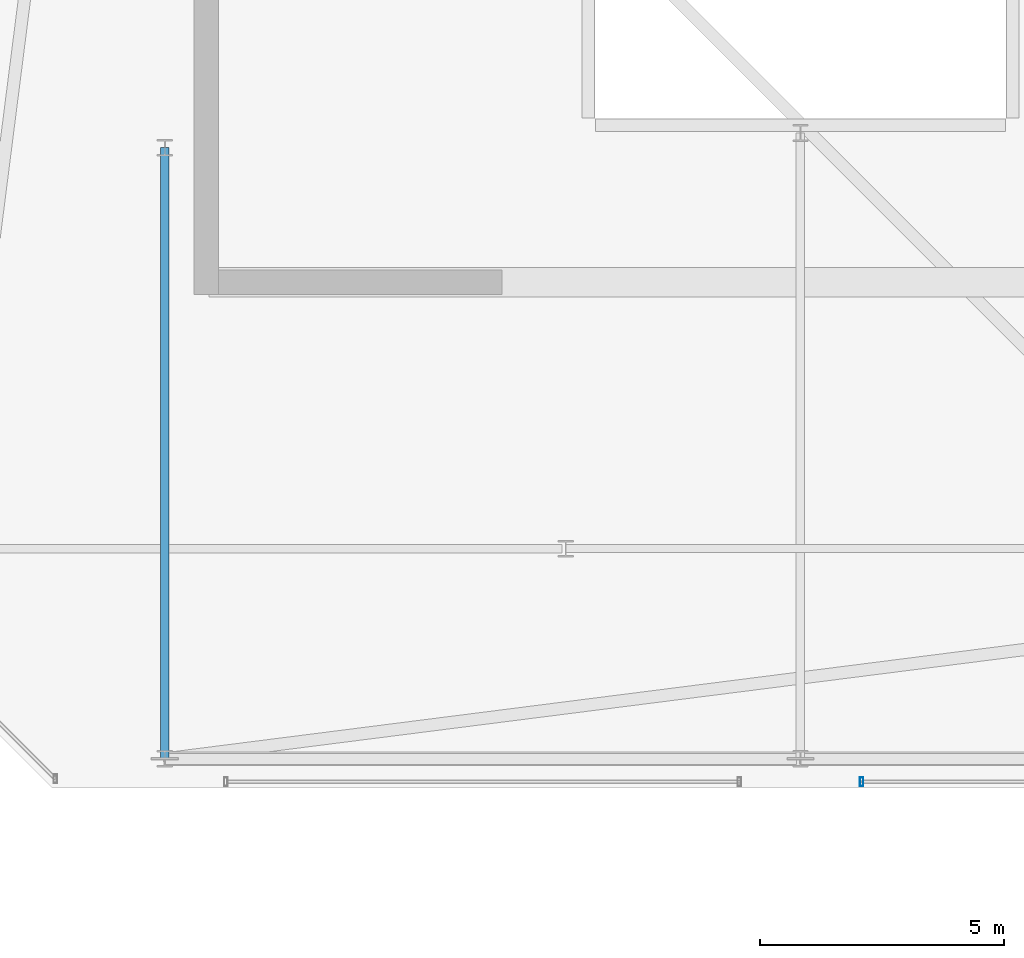
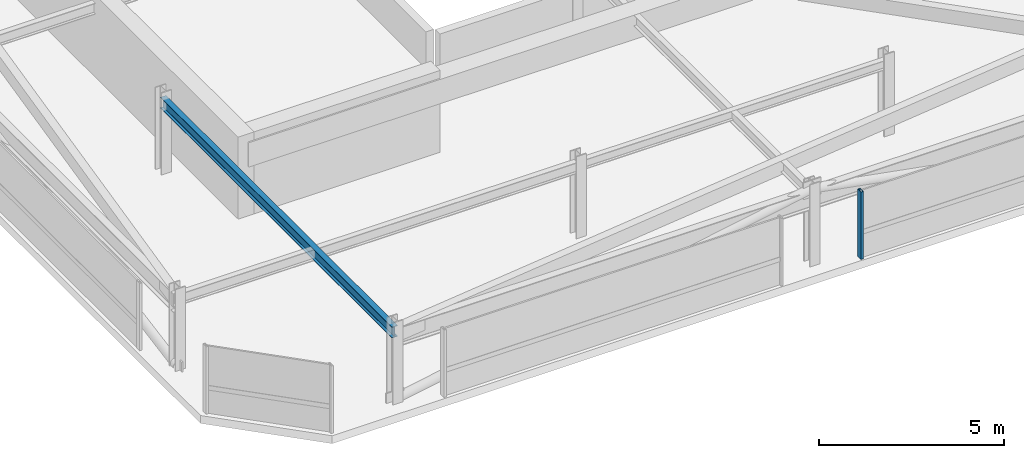
# One storey, part 28 of 42: 1 beam, 1 member, 1 element without a shape of its own.
"""IFC4 building model written with IfcOpenShell, lengths in metres."""

from ifc_helpers import new_model, si_unit, direction, frame, origin, origin_2d, place, context, subcontext, project, spatial, hollow_rectangle, i_section, extrude, material, material_profile, profile_set, type_object, element, aggregate, save


model = new_model("IFC4")

# Units and contexts
model_context = context("Model", 3, precision=1e-05, world=origin(), true_north=direction((0.0, 1.0)))
body_context = subcontext(model_context, "Body", "Model", "MODEL_VIEW")
ifc_project = project(units=[si_unit("LENGTHUNIT", "METRE"), si_unit("AREAUNIT", "SQUARE_METRE"), si_unit("VOLUMEUNIT", "CUBIC_METRE"), si_unit("PLANEANGLEUNIT", "RADIAN"), si_unit("MASSUNIT", "GRAM", prefix="KILO")], contexts=[model_context])

# Site, building, storey
site_placement = place(None, origin())
site = spatial("IfcSite", under=ifc_project, at=site_placement, CompositionType="ELEMENT")
building_placement = place(site_placement, origin())
building = spatial("IfcBuilding", under=site, at=building_placement, Name="Thornwick Lancets Civic Towers", CompositionType="ELEMENT")
storey_placement = place(building_placement, frame((0.0, 0.0, 289.5)))
storey = spatial("IfcBuildingStorey", under=building, at=storey_placement, Name="C04", CompositionType="ELEMENT", Elevation=289.5)

# Beam
ifc_material_1 = material(Name="Steel S355JR", Category="steel")
ifc_material_profile_1 = material_profile(ifc_material_1, i_section(OverallWidth=0.173095703125, OverallDepth=0.36328125, WebThickness=0.009033203125, FlangeThickness=0.015625, FilletRadius=0.01025390625, at=origin_2d()), Name="UKB 356x171x67")
ifc_profile_set_1 = profile_set([ifc_material_profile_1], Name="Steel S355JR")
beam_type = type_object("IfcBeamType", Name="BM_JOIST_356_67", PredefinedType="JOIST", material=ifc_profile_set_1)
beam_placement = place(storey_placement, frame((75.5, 22.199951171875, 2.25830078125), z_axis=(0.0, -1.0, 0.0), x_axis=(1.0, 0.0, 0.0)))
element("IfcBeam", 1, at=beam_placement, inside=storey, type_object=beam_type, Name="BM-RADIN-C04-B12", PredefinedType="JOIST", context=body_context, shape_type="SweptSolid", body=[
    extrude(i_section(OverallWidth=0.173095703125, OverallDepth=0.36328125, WebThickness=0.009033203125, FlangeThickness=0.015625, FilletRadius=0.01025390625, at=origin_2d()), origin(), (0.0, 0.0, 1.0), 12.5),
])

# Curtain wall, member
ifc_material_2 = material(Name="Crown ring acoustic-louvre and glazing screen wall", Category="glass")
curtain_wall_type = type_object("IfcCurtainWallType", Name="CW_SYS_07", PredefinedType="NOTDEFINED", material=ifc_material_2)
curtain_wall_placement = place(storey_placement, origin())
curtain_wall = element("IfcCurtainWall", 2, at=curtain_wall_placement, inside=storey, type_object=curtain_wall_type, Name="C04 Curtain Wall CW-C04-B-E0-S2", PredefinedType="NOTDEFINED")
ifc_material_3 = material(Name="Thermally broken bronze aluminium S355", Category="steel")
ifc_material_profile_2 = material_profile(ifc_material_3, hollow_rectangle(XDim=0.074951171875, YDim=0.179931640625, WallThickness=0.006103515625, at=origin_2d()), Name="RHS 180x75x6")
ifc_profile_set_2 = profile_set([ifc_material_profile_2], Name="Thermally broken bronze aluminium S355")
member_type = type_object("IfcMemberType", Name="CW_MUL_180", PredefinedType="MULLION", material=ifc_profile_set_2)
member_placement = place(storey_placement, frame((89.75, 9.2353515625, 0.0), z_axis=(0.0, 0.0, 1.0), x_axis=(1.0, 0.0, 0.0)))
member = element("IfcMember", 3, at=member_placement, type_object=member_type, Name="CW-C04-B-E0-S2 Mullion 0", PredefinedType="MULLION", context=body_context, shape_type="SweptSolid", body=[
    extrude(hollow_rectangle(XDim=0.074951171875, YDim=0.179931640625, WallThickness=0.006103515625, at=origin_2d()), origin(), (0.0, 0.0, 1.0), 2.219970703125),
])
aggregate(curtain_wall, [member])

save(model, "model.ifc")
